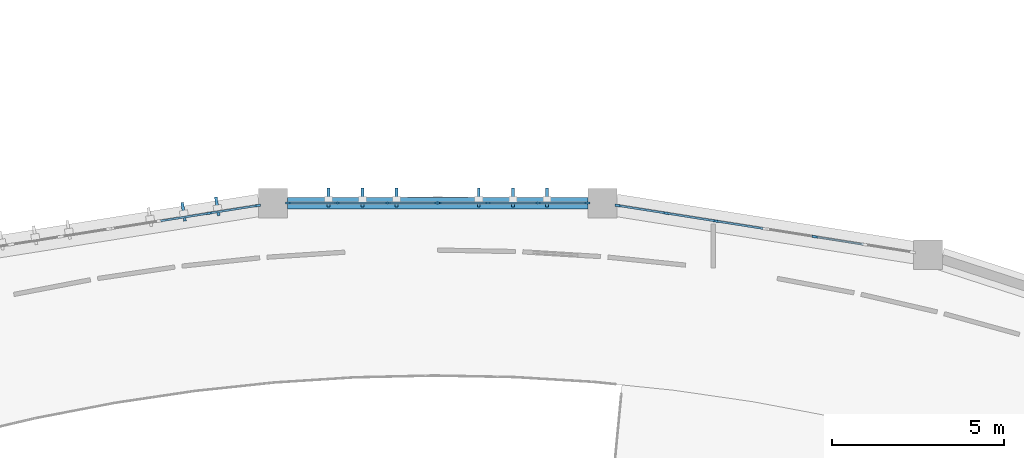
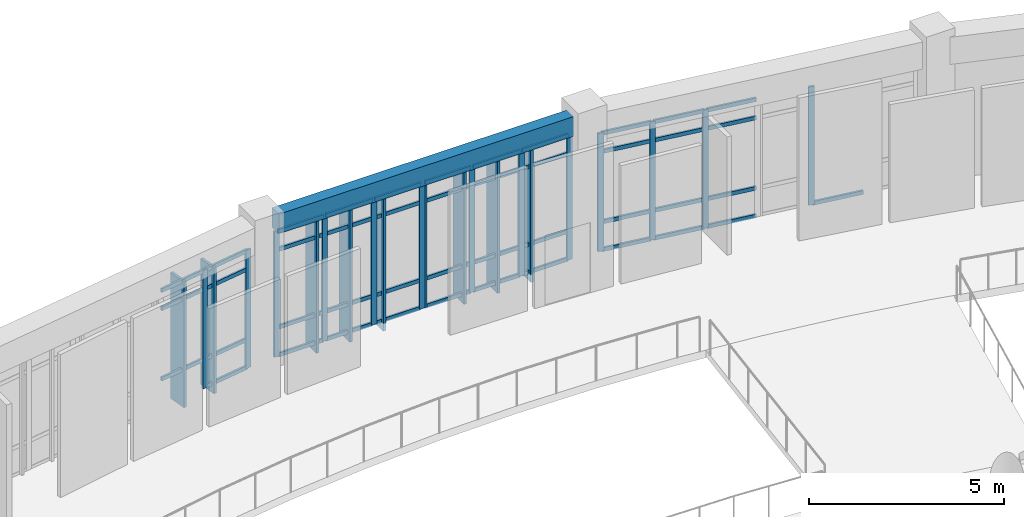
# One storey, part 20 of 68: 66 members, 1 beam, 5 elements without a shape of their own.
"""IFC4 building model written with IfcOpenShell, lengths in metres."""

from ifc_helpers import new_model, si_unit, direction, frame, origin, origin_2d, place, context, subcontext, project, spatial, rectangle, extrude, material, layer, layer_set, material_profile, profile_set, type_object, element, aggregate, save


model = new_model("IFC4")

# Units and contexts
model_context = context("Model", 3, precision=1e-05, world=origin(), true_north=direction((0.0, 1.0)))
body_context = subcontext(model_context, "Body", "Model", "MODEL_VIEW")
ifc_project = project(units=[si_unit("LENGTHUNIT", "METRE"), si_unit("AREAUNIT", "SQUARE_METRE"), si_unit("VOLUMEUNIT", "CUBIC_METRE"), si_unit("PLANEANGLEUNIT", "RADIAN"), si_unit("MASSUNIT", "GRAM", prefix="KILO")], contexts=[model_context])

# Site, building, storey
site_placement = place(None, origin())
site = spatial("IfcSite", under=ifc_project, at=site_placement, CompositionType="ELEMENT")
building_placement = place(site_placement, origin())
building = spatial("IfcBuilding", under=site, at=building_placement, Name="Miralva Faculty of Natural Sciences", CompositionType="ELEMENT")
storey_placement = place(building_placement, frame((0.0, 0.0, 5.39990234375)))
storey = spatial("IfcBuildingStorey", under=building, at=storey_placement, Name="L01", CompositionType="ELEMENT", Elevation=5.39990234375)

# Beam
ifc_material_1 = material(Name="Concrete C40/50", Category="concrete")
ifc_material_profile_1 = material_profile(ifc_material_1, rectangle(XDim=0.340087890625, YDim=0.6201171875, at=origin_2d()), Name="RC 340x620")
ifc_profile_set_1 = profile_set([ifc_material_profile_1], Name="Concrete C40/50")
beam_type = type_object("IfcBeamType", Name="BM-BG03", PredefinedType="BEAM", material=ifc_profile_set_1)
beam_placement = place(storey_placement, frame((85.635009765625, 39.81005859375, 4.25), z_axis=(1.0, 0.0, 0.0), x_axis=(0.0, 1.0, 0.0)))
element("IfcBeam", 1, at=beam_placement, inside=storey, type_object=beam_type, Name="Girder EW L01-45", PredefinedType="BEAM", context=body_context, shape_type="SweptSolid", body=[
    extrude(rectangle(XDim=0.340087890625, YDim=0.6201171875, at=origin_2d()), origin(), (0.0, 0.0, 1.0), 8.72998046875),
])

# Curtain wall, members
ifc_material_2 = material(Name="Laminated solar-control glass", Category="glass")
ifc_layer = layer(ifc_material_2, 0.179931640625, Name="CW-ARC-L01")
ifc_layer_set = layer_set([ifc_layer], Name="Laminated solar-control glass")
curtain_wall_type = type_object("IfcCurtainWallType", Name="CW-ARC-L01", PredefinedType="USERDEFINED", material=ifc_layer_set)
curtain_wall_1_placement = place(storey_placement, origin())
curtain_wall_1 = element("IfcCurtainWall", 2, at=curtain_wall_1_placement, inside=storey, type_object=curtain_wall_type, Name="Curtain wall CW-02 L01-38", ObjectType="UNITISED CURTAIN WALL", PredefinedType="USERDEFINED")
ifc_material_3 = material(Name="Anodised aluminium", Category="aluminium")
ifc_material_profile_2 = material_profile(ifc_material_3, rectangle(XDim=0.06494140625, YDim=0.159912109375, at=origin_2d()), Name="MULLION 65x160")
ifc_profile_set_2 = profile_set([ifc_material_profile_2], Name="Anodised aluminium")
member_type_1 = type_object("IfcMemberType", Name="CW-M02", PredefinedType="MULLION", material=ifc_profile_set_2)
member_1_placement = place(storey_placement, frame((83.36328125, 39.518798828125, 0.0), z_axis=(0.0, 0.0, 1.0), x_axis=(-0.156422562973, 0.987690225624, 0.0)))
member_1 = element("IfcMember", 3, at=member_1_placement, type_object=member_type_1, Name="CW-02 mullion 3", PredefinedType="MULLION", context=body_context, shape_type="SweptSolid", body=[
    extrude(rectangle(XDim=0.06494140625, YDim=0.159912109375, at=origin_2d()), origin(), (0.0, 0.0, 1.0), 3.705078125),
])
member_2_placement = place(storey_placement, frame((84.77197265625, 39.741943359375, 0.0), z_axis=(0.0, 0.0, 1.0), x_axis=(-0.156422562973, 0.987690225624, 0.0)))
member_2 = element("IfcMember", 4, at=member_2_placement, type_object=member_type_1, Name="CW-02 mullion 4", PredefinedType="MULLION", context=body_context, shape_type="SweptSolid", body=[
    extrude(rectangle(XDim=0.06494140625, YDim=0.159912109375, at=origin_2d()), origin(), (0.0, 0.0, 1.0), 3.705078125),
])

curtain_wall_2_placement = place(storey_placement, origin())
curtain_wall_2 = element("IfcCurtainWall", 5, at=curtain_wall_2_placement, inside=storey, type_object=curtain_wall_type, Name="Curtain wall CW-02 L01-39", ObjectType="UNITISED CURTAIN WALL", PredefinedType="USERDEFINED")
member_3_placement = place(storey_placement, frame((85.66162109375, 39.81201171875, 0.0), z_axis=(0.0, 0.0, 1.0), x_axis=(0.0, 1.0, 0.0)))
member_3 = element("IfcMember", 6, at=member_3_placement, type_object=member_type_1, Name="CW-02 mullion 1", PredefinedType="MULLION", context=body_context, shape_type="SweptSolid", body=[
    extrude(rectangle(XDim=0.06494140625, YDim=0.159912109375, at=origin_2d()), origin(), (0.0, 0.0, 1.0), 3.93505859375),
])
member_4_placement = place(storey_placement, frame((87.0859375, 39.81201171875, 0.0), z_axis=(0.0, 0.0, 1.0), x_axis=(0.0, 1.0, 0.0)))
member_4 = element("IfcMember", 7, at=member_4_placement, type_object=member_type_1, Name="CW-02 mullion 2", PredefinedType="MULLION", context=body_context, shape_type="SweptSolid", body=[
    extrude(rectangle(XDim=0.06494140625, YDim=0.159912109375, at=origin_2d()), origin(), (0.0, 0.0, 1.0), 3.93505859375),
])
member_5_placement = place(storey_placement, frame((88.54296875, 39.81201171875, 0.0), z_axis=(0.0, 0.0, 1.0), x_axis=(0.0, 1.0, 0.0)))
member_5 = element("IfcMember", 8, at=member_5_placement, type_object=member_type_1, Name="CW-02 mullion 3", PredefinedType="MULLION", context=body_context, shape_type="SweptSolid", body=[
    extrude(rectangle(XDim=0.06494140625, YDim=0.159912109375, at=origin_2d()), origin(), (0.0, 0.0, 1.0), 3.93505859375),
])
member_6_placement = place(storey_placement, frame((89.967529296875, 39.81201171875, 0.0), z_axis=(0.0, 0.0, 1.0), x_axis=(0.0, 1.0, 0.0)))
member_6 = element("IfcMember", 9, at=member_6_placement, type_object=member_type_1, Name="CW-02 mullion 4", PredefinedType="MULLION", context=body_context, shape_type="SweptSolid", body=[
    extrude(rectangle(XDim=0.06494140625, YDim=0.159912109375, at=origin_2d()), origin(), (0.0, 0.0, 1.0), 3.93505859375),
])

curtain_wall_3_placement = place(storey_placement, origin())
curtain_wall_3 = element("IfcCurtainWall", 10, at=curtain_wall_3_placement, inside=storey, type_object=curtain_wall_type, Name="Curtain wall CW-02 L01-40", ObjectType="UNITISED CURTAIN WALL", PredefinedType="USERDEFINED")
member_7_placement = place(storey_placement, frame((90.027587890625, 39.81201171875, 0.0), z_axis=(0.0, 0.0, 1.0), x_axis=(0.0, 1.0, 0.0)))
member_7 = element("IfcMember", 11, at=member_7_placement, type_object=member_type_1, Name="CW-02 mullion 1", PredefinedType="MULLION", context=body_context, shape_type="SweptSolid", body=[
    extrude(rectangle(XDim=0.06494140625, YDim=0.159912109375, at=origin_2d()), origin(), (0.0, 0.0, 1.0), 3.93505859375),
])
member_8_placement = place(storey_placement, frame((91.45361328125, 39.81201171875, 0.0), z_axis=(0.0, 0.0, 1.0), x_axis=(0.0, 1.0, 0.0)))
member_8 = element("IfcMember", 12, at=member_8_placement, type_object=member_type_1, Name="CW-02 mullion 2", PredefinedType="MULLION", context=body_context, shape_type="SweptSolid", body=[
    extrude(rectangle(XDim=0.06494140625, YDim=0.159912109375, at=origin_2d()), origin(), (0.0, 0.0, 1.0), 3.93505859375),
])
member_9_placement = place(storey_placement, frame((92.912353515625, 39.81201171875, 0.0), z_axis=(0.0, 0.0, 1.0), x_axis=(0.0, 1.0, 0.0)))
member_9 = element("IfcMember", 13, at=member_9_placement, type_object=member_type_1, Name="CW-02 mullion 3", PredefinedType="MULLION", context=body_context, shape_type="SweptSolid", body=[
    extrude(rectangle(XDim=0.06494140625, YDim=0.159912109375, at=origin_2d()), origin(), (0.0, 0.0, 1.0), 3.93505859375),
])
member_10_placement = place(storey_placement, frame((94.33837890625, 39.81201171875, 0.0), z_axis=(0.0, 0.0, 1.0), x_axis=(0.0, 1.0, 0.0)))
member_10 = element("IfcMember", 14, at=member_10_placement, type_object=member_type_1, Name="CW-02 mullion 4", PredefinedType="MULLION", context=body_context, shape_type="SweptSolid", body=[
    extrude(rectangle(XDim=0.06494140625, YDim=0.159912109375, at=origin_2d()), origin(), (0.0, 0.0, 1.0), 3.93505859375),
])

curtain_wall_4_placement = place(storey_placement, origin())
curtain_wall_4 = element("IfcCurtainWall", 15, at=curtain_wall_4_placement, inside=storey, type_object=curtain_wall_type, Name="Curtain wall CW-02 L01-41", ObjectType="UNITISED CURTAIN WALL", PredefinedType="USERDEFINED")
member_11_placement = place(storey_placement, frame((95.22802734375, 39.741943359375, 0.0), z_axis=(0.0, 0.0, 1.0), x_axis=(0.156417211778, 0.987691073089, 0.0)))
member_11 = element("IfcMember", 16, at=member_11_placement, type_object=member_type_1, Name="CW-02 mullion 1", PredefinedType="MULLION", context=body_context, shape_type="SweptSolid", body=[
    extrude(rectangle(XDim=0.06494140625, YDim=0.159912109375, at=origin_2d()), origin(), (0.0, 0.0, 1.0), 3.705078125),
])
member_12_placement = place(storey_placement, frame((96.635009765625, 39.51904296875, 0.0), z_axis=(0.0, 0.0, 1.0), x_axis=(0.156417211778, 0.987691073089, 0.0)))
member_12 = element("IfcMember", 17, at=member_12_placement, type_object=member_type_1, Name="CW-02 mullion 2", PredefinedType="MULLION", context=body_context, shape_type="SweptSolid", body=[
    extrude(rectangle(XDim=0.06494140625, YDim=0.159912109375, at=origin_2d()), origin(), (0.0, 0.0, 1.0), 3.705078125),
])
member_13_placement = place(storey_placement, frame((98.073974609375, 39.291259765625, 0.0), z_axis=(0.0, 0.0, 1.0), x_axis=(0.156417211778, 0.987691073089, 0.0)))
member_13 = element("IfcMember", 18, at=member_13_placement, type_object=member_type_1, Name="CW-02 mullion 3", PredefinedType="MULLION", context=body_context, shape_type="SweptSolid", body=[
    extrude(rectangle(XDim=0.06494140625, YDim=0.159912109375, at=origin_2d()), origin(), (0.0, 0.0, 1.0), 3.705078125),
])

# Curtain wall, member
curtain_wall_5_placement = place(storey_placement, origin())
curtain_wall_5 = element("IfcCurtainWall", 19, at=curtain_wall_5_placement, inside=storey, type_object=curtain_wall_type, Name="Curtain wall CW-02 L01-42", ObjectType="UNITISED CURTAIN WALL", PredefinedType="USERDEFINED")
member_14_placement = place(storey_placement, frame((100.948974609375, 38.8359375, 0.0), z_axis=(0.0, 0.0, 1.0), x_axis=(0.156444855796, 0.987686694805, 0.0)))
member_14 = element("IfcMember", 20, at=member_14_placement, type_object=member_type_1, Name="CW-02 mullion 2", PredefinedType="MULLION", context=body_context, shape_type="SweptSolid", body=[
    extrude(rectangle(XDim=0.06494140625, YDim=0.159912109375, at=origin_2d()), origin(), (0.0, 0.0, 1.0), 3.705078125),
])

# Member
ifc_material_profile_3 = material_profile(ifc_material_3, rectangle(XDim=0.06005859375, YDim=0.1201171875, at=origin_2d()), Name="TRANSOM 60x120")
ifc_profile_set_3 = profile_set([ifc_material_profile_3], Name="Anodised aluminium")
member_type_2 = type_object("IfcMemberType", Name="CW-T02", PredefinedType="USERDEFINED", material=ifc_profile_set_3)
member_15_placement = place(storey_placement, frame((81.954833984375, 39.295654296875, 0.900146484375), z_axis=(0.987687568473, 0.156439339951, 0.0), x_axis=(-0.156439339951, 0.987687568473, 0.0)))
member_15 = element("IfcMember", 21, at=member_15_placement, type_object=member_type_2, Name="CW-02 transom 2.2", ObjectType="TRANSOM", PredefinedType="USERDEFINED", context=body_context, shape_type="SweptSolid", body=[
    extrude(rectangle(XDim=0.06005859375, YDim=0.1201171875, at=origin_2d()), origin(), (0.0, 0.0, 1.0), 1.3935546875),
])

member_16_placement = place(storey_placement, frame((81.954833984375, 39.295654296875, 3.10498046875), z_axis=(0.987687568473, 0.156439339951, 0.0), x_axis=(-0.156439339951, 0.987687568473, 0.0)))
member_16 = element("IfcMember", 22, at=member_16_placement, type_object=member_type_2, Name="CW-02 transom 2.3", ObjectType="TRANSOM", PredefinedType="USERDEFINED", context=body_context, shape_type="SweptSolid", body=[
    extrude(rectangle(XDim=0.06005859375, YDim=0.1201171875, at=origin_2d()), origin(), (0.0, 0.0, 1.0), 1.3935546875),
])

member_17_placement = place(storey_placement, frame((81.954833984375, 39.295654296875, 3.675048828125), z_axis=(0.987687568473, 0.156439339951, 0.0), x_axis=(-0.156439339951, 0.987687568473, 0.0)))
member_17 = element("IfcMember", 23, at=member_17_placement, type_object=member_type_2, Name="CW-02 transom 2.4", ObjectType="TRANSOM", PredefinedType="USERDEFINED", context=body_context, shape_type="SweptSolid", body=[
    extrude(rectangle(XDim=0.06005859375, YDim=0.1201171875, at=origin_2d()), origin(), (0.0, 0.0, 1.0), 1.3935546875),
])

member_18_placement = place(storey_placement, frame((83.3955078125, 39.52392578125, 0.030029296875), z_axis=(0.987694522615, 0.156395428313, 0.0), x_axis=(-0.156395428313, 0.987694522615, 0.0)))
member_18 = element("IfcMember", 24, at=member_18_placement, type_object=member_type_2, Name="CW-02 transom 3.1", ObjectType="TRANSOM", PredefinedType="USERDEFINED", context=body_context, shape_type="SweptSolid", body=[
    extrude(rectangle(XDim=0.06005859375, YDim=0.1201171875, at=origin_2d()), origin(), (0.0, 0.0, 1.0), 1.361328125),
])

member_19_placement = place(storey_placement, frame((83.3955078125, 39.52392578125, 0.900146484375), z_axis=(0.987694522615, 0.156395428313, 0.0), x_axis=(-0.156395428313, 0.987694522615, 0.0)))
member_19 = element("IfcMember", 25, at=member_19_placement, type_object=member_type_2, Name="CW-02 transom 3.2", ObjectType="TRANSOM", PredefinedType="USERDEFINED", context=body_context, shape_type="SweptSolid", body=[
    extrude(rectangle(XDim=0.06005859375, YDim=0.1201171875, at=origin_2d()), origin(), (0.0, 0.0, 1.0), 1.361328125),
])

member_20_placement = place(storey_placement, frame((83.3955078125, 39.52392578125, 3.10498046875), z_axis=(0.987694522615, 0.156395428313, 0.0), x_axis=(-0.156395428313, 0.987694522615, 0.0)))
member_20 = element("IfcMember", 26, at=member_20_placement, type_object=member_type_2, Name="CW-02 transom 3.3", ObjectType="TRANSOM", PredefinedType="USERDEFINED", context=body_context, shape_type="SweptSolid", body=[
    extrude(rectangle(XDim=0.06005859375, YDim=0.1201171875, at=origin_2d()), origin(), (0.0, 0.0, 1.0), 1.361328125),
])

member_21_placement = place(storey_placement, frame((83.3955078125, 39.52392578125, 3.675048828125), z_axis=(0.987694522615, 0.156395428313, 0.0), x_axis=(-0.156395428313, 0.987694522615, 0.0)))
member_21 = element("IfcMember", 27, at=member_21_placement, type_object=member_type_2, Name="CW-02 transom 3.4", ObjectType="TRANSOM", PredefinedType="USERDEFINED", context=body_context, shape_type="SweptSolid", body=[
    extrude(rectangle(XDim=0.06005859375, YDim=0.1201171875, at=origin_2d()), origin(), (0.0, 0.0, 1.0), 1.361328125),
])

aggregate(curtain_wall_1, [member_1, member_2, member_15, member_16, member_17, member_18, member_19, member_20, member_21])

member_22_placement = place(storey_placement, frame((85.694091796875, 39.81201171875, 0.030029296875), z_axis=(1.0, 0.0, 0.0), x_axis=(0.0, 1.0, 0.0)))
member_22 = element("IfcMember", 28, at=member_22_placement, type_object=member_type_2, Name="CW-02 transom 1.1", ObjectType="TRANSOM", PredefinedType="USERDEFINED", context=body_context, shape_type="SweptSolid", body=[
    extrude(rectangle(XDim=0.06005859375, YDim=0.1201171875, at=origin_2d()), origin(), (0.0, 0.0, 1.0), 1.359375),
])

member_23_placement = place(storey_placement, frame((85.694091796875, 39.81201171875, 0.900146484375), z_axis=(1.0, 0.0, 0.0), x_axis=(0.0, 1.0, 0.0)))
member_23 = element("IfcMember", 29, at=member_23_placement, type_object=member_type_2, Name="CW-02 transom 1.2", ObjectType="TRANSOM", PredefinedType="USERDEFINED", context=body_context, shape_type="SweptSolid", body=[
    extrude(rectangle(XDim=0.06005859375, YDim=0.1201171875, at=origin_2d()), origin(), (0.0, 0.0, 1.0), 1.359375),
])

member_24_placement = place(storey_placement, frame((85.694091796875, 39.81201171875, 3.335205078125), z_axis=(1.0, 0.0, 0.0), x_axis=(0.0, 1.0, 0.0)))
member_24 = element("IfcMember", 30, at=member_24_placement, type_object=member_type_2, Name="CW-02 transom 1.3", ObjectType="TRANSOM", PredefinedType="USERDEFINED", context=body_context, shape_type="SweptSolid", body=[
    extrude(rectangle(XDim=0.06005859375, YDim=0.1201171875, at=origin_2d()), origin(), (0.0, 0.0, 1.0), 1.359375),
])

member_25_placement = place(storey_placement, frame((85.694091796875, 39.81201171875, 3.905029296875), z_axis=(1.0, 0.0, 0.0), x_axis=(0.0, 1.0, 0.0)))
member_25 = element("IfcMember", 31, at=member_25_placement, type_object=member_type_2, Name="CW-02 transom 1.4", ObjectType="TRANSOM", PredefinedType="USERDEFINED", context=body_context, shape_type="SweptSolid", body=[
    extrude(rectangle(XDim=0.06005859375, YDim=0.1201171875, at=origin_2d()), origin(), (0.0, 0.0, 1.0), 1.359375),
])

member_26_placement = place(storey_placement, frame((87.118408203125, 39.81201171875, 0.030029296875), z_axis=(1.0, 0.0, 0.0), x_axis=(0.0, 1.0, 0.0)))
member_26 = element("IfcMember", 32, at=member_26_placement, type_object=member_type_2, Name="CW-02 transom 2.1", ObjectType="TRANSOM", PredefinedType="USERDEFINED", context=body_context, shape_type="SweptSolid", body=[
    extrude(rectangle(XDim=0.06005859375, YDim=0.1201171875, at=origin_2d()), origin(), (0.0, 0.0, 1.0), 1.39208984375),
])

member_27_placement = place(storey_placement, frame((87.118408203125, 39.81201171875, 0.900146484375), z_axis=(1.0, 0.0, 0.0), x_axis=(0.0, 1.0, 0.0)))
member_27 = element("IfcMember", 33, at=member_27_placement, type_object=member_type_2, Name="CW-02 transom 2.2", ObjectType="TRANSOM", PredefinedType="USERDEFINED", context=body_context, shape_type="SweptSolid", body=[
    extrude(rectangle(XDim=0.06005859375, YDim=0.1201171875, at=origin_2d()), origin(), (0.0, 0.0, 1.0), 1.39208984375),
])

member_28_placement = place(storey_placement, frame((87.118408203125, 39.81201171875, 3.335205078125), z_axis=(1.0, 0.0, 0.0), x_axis=(0.0, 1.0, 0.0)))
member_28 = element("IfcMember", 34, at=member_28_placement, type_object=member_type_2, Name="CW-02 transom 2.3", ObjectType="TRANSOM", PredefinedType="USERDEFINED", context=body_context, shape_type="SweptSolid", body=[
    extrude(rectangle(XDim=0.06005859375, YDim=0.1201171875, at=origin_2d()), origin(), (0.0, 0.0, 1.0), 1.39208984375),
])

member_29_placement = place(storey_placement, frame((87.118408203125, 39.81201171875, 3.905029296875), z_axis=(1.0, 0.0, 0.0), x_axis=(0.0, 1.0, 0.0)))
member_29 = element("IfcMember", 35, at=member_29_placement, type_object=member_type_2, Name="CW-02 transom 2.4", ObjectType="TRANSOM", PredefinedType="USERDEFINED", context=body_context, shape_type="SweptSolid", body=[
    extrude(rectangle(XDim=0.06005859375, YDim=0.1201171875, at=origin_2d()), origin(), (0.0, 0.0, 1.0), 1.39208984375),
])

member_30_placement = place(storey_placement, frame((88.575439453125, 39.81201171875, 0.030029296875), z_axis=(1.0, 0.0, 0.0), x_axis=(0.0, 1.0, 0.0)))
member_30 = element("IfcMember", 36, at=member_30_placement, type_object=member_type_2, Name="CW-02 transom 3.1", ObjectType="TRANSOM", PredefinedType="USERDEFINED", context=body_context, shape_type="SweptSolid", body=[
    extrude(rectangle(XDim=0.06005859375, YDim=0.1201171875, at=origin_2d()), origin(), (0.0, 0.0, 1.0), 1.359619140625),
])

member_31_placement = place(storey_placement, frame((88.575439453125, 39.81201171875, 0.900146484375), z_axis=(1.0, 0.0, 0.0), x_axis=(0.0, 1.0, 0.0)))
member_31 = element("IfcMember", 37, at=member_31_placement, type_object=member_type_2, Name="CW-02 transom 3.2", ObjectType="TRANSOM", PredefinedType="USERDEFINED", context=body_context, shape_type="SweptSolid", body=[
    extrude(rectangle(XDim=0.06005859375, YDim=0.1201171875, at=origin_2d()), origin(), (0.0, 0.0, 1.0), 1.359619140625),
])

member_32_placement = place(storey_placement, frame((88.575439453125, 39.81201171875, 3.335205078125), z_axis=(1.0, 0.0, 0.0), x_axis=(0.0, 1.0, 0.0)))
member_32 = element("IfcMember", 38, at=member_32_placement, type_object=member_type_2, Name="CW-02 transom 3.3", ObjectType="TRANSOM", PredefinedType="USERDEFINED", context=body_context, shape_type="SweptSolid", body=[
    extrude(rectangle(XDim=0.06005859375, YDim=0.1201171875, at=origin_2d()), origin(), (0.0, 0.0, 1.0), 1.359619140625),
])

member_33_placement = place(storey_placement, frame((88.575439453125, 39.81201171875, 3.905029296875), z_axis=(1.0, 0.0, 0.0), x_axis=(0.0, 1.0, 0.0)))
member_33 = element("IfcMember", 39, at=member_33_placement, type_object=member_type_2, Name="CW-02 transom 3.4", ObjectType="TRANSOM", PredefinedType="USERDEFINED", context=body_context, shape_type="SweptSolid", body=[
    extrude(rectangle(XDim=0.06005859375, YDim=0.1201171875, at=origin_2d()), origin(), (0.0, 0.0, 1.0), 1.359619140625),
])

aggregate(curtain_wall_2, [member_3, member_4, member_5, member_6, member_22, member_23, member_24, member_25, member_26, member_27, member_28, member_29, member_30, member_31, member_32, member_33])

member_34_placement = place(storey_placement, frame((90.06005859375, 39.81201171875, 0.030029296875), z_axis=(1.0, 0.0, 0.0), x_axis=(0.0, 1.0, 0.0)))
member_34 = element("IfcMember", 40, at=member_34_placement, type_object=member_type_2, Name="CW-02 transom 1.1", ObjectType="TRANSOM", PredefinedType="USERDEFINED", context=body_context, shape_type="SweptSolid", body=[
    extrude(rectangle(XDim=0.06005859375, YDim=0.1201171875, at=origin_2d()), origin(), (0.0, 0.0, 1.0), 1.361083984375),
])

member_35_placement = place(storey_placement, frame((90.06005859375, 39.81201171875, 0.900146484375), z_axis=(1.0, 0.0, 0.0), x_axis=(0.0, 1.0, 0.0)))
member_35 = element("IfcMember", 41, at=member_35_placement, type_object=member_type_2, Name="CW-02 transom 1.2", ObjectType="TRANSOM", PredefinedType="USERDEFINED", context=body_context, shape_type="SweptSolid", body=[
    extrude(rectangle(XDim=0.06005859375, YDim=0.1201171875, at=origin_2d()), origin(), (0.0, 0.0, 1.0), 1.361083984375),
])

member_36_placement = place(storey_placement, frame((90.06005859375, 39.81201171875, 3.335205078125), z_axis=(1.0, 0.0, 0.0), x_axis=(0.0, 1.0, 0.0)))
member_36 = element("IfcMember", 42, at=member_36_placement, type_object=member_type_2, Name="CW-02 transom 1.3", ObjectType="TRANSOM", PredefinedType="USERDEFINED", context=body_context, shape_type="SweptSolid", body=[
    extrude(rectangle(XDim=0.06005859375, YDim=0.1201171875, at=origin_2d()), origin(), (0.0, 0.0, 1.0), 1.361083984375),
])

member_37_placement = place(storey_placement, frame((90.06005859375, 39.81201171875, 3.905029296875), z_axis=(1.0, 0.0, 0.0), x_axis=(0.0, 1.0, 0.0)))
member_37 = element("IfcMember", 43, at=member_37_placement, type_object=member_type_2, Name="CW-02 transom 1.4", ObjectType="TRANSOM", PredefinedType="USERDEFINED", context=body_context, shape_type="SweptSolid", body=[
    extrude(rectangle(XDim=0.06005859375, YDim=0.1201171875, at=origin_2d()), origin(), (0.0, 0.0, 1.0), 1.361083984375),
])

member_38_placement = place(storey_placement, frame((91.486083984375, 39.81201171875, 0.030029296875), z_axis=(1.0, 0.0, 0.0), x_axis=(0.0, 1.0, 0.0)))
member_38 = element("IfcMember", 44, at=member_38_placement, type_object=member_type_2, Name="CW-02 transom 2.1", ObjectType="TRANSOM", PredefinedType="USERDEFINED", context=body_context, shape_type="SweptSolid", body=[
    extrude(rectangle(XDim=0.06005859375, YDim=0.1201171875, at=origin_2d()), origin(), (0.0, 0.0, 1.0), 1.393798828125),
])

member_39_placement = place(storey_placement, frame((91.486083984375, 39.81201171875, 0.900146484375), z_axis=(1.0, 0.0, 0.0), x_axis=(0.0, 1.0, 0.0)))
member_39 = element("IfcMember", 45, at=member_39_placement, type_object=member_type_2, Name="CW-02 transom 2.2", ObjectType="TRANSOM", PredefinedType="USERDEFINED", context=body_context, shape_type="SweptSolid", body=[
    extrude(rectangle(XDim=0.06005859375, YDim=0.1201171875, at=origin_2d()), origin(), (0.0, 0.0, 1.0), 1.393798828125),
])

member_40_placement = place(storey_placement, frame((91.486083984375, 39.81201171875, 3.335205078125), z_axis=(1.0, 0.0, 0.0), x_axis=(0.0, 1.0, 0.0)))
member_40 = element("IfcMember", 46, at=member_40_placement, type_object=member_type_2, Name="CW-02 transom 2.3", ObjectType="TRANSOM", PredefinedType="USERDEFINED", context=body_context, shape_type="SweptSolid", body=[
    extrude(rectangle(XDim=0.06005859375, YDim=0.1201171875, at=origin_2d()), origin(), (0.0, 0.0, 1.0), 1.393798828125),
])

member_41_placement = place(storey_placement, frame((91.486083984375, 39.81201171875, 3.905029296875), z_axis=(1.0, 0.0, 0.0), x_axis=(0.0, 1.0, 0.0)))
member_41 = element("IfcMember", 47, at=member_41_placement, type_object=member_type_2, Name="CW-02 transom 2.4", ObjectType="TRANSOM", PredefinedType="USERDEFINED", context=body_context, shape_type="SweptSolid", body=[
    extrude(rectangle(XDim=0.06005859375, YDim=0.1201171875, at=origin_2d()), origin(), (0.0, 0.0, 1.0), 1.393798828125),
])

member_42_placement = place(storey_placement, frame((92.94482421875, 39.81201171875, 0.030029296875), z_axis=(1.0, 0.0, 0.0), x_axis=(0.0, 1.0, 0.0)))
member_42 = element("IfcMember", 48, at=member_42_placement, type_object=member_type_2, Name="CW-02 transom 3.1", ObjectType="TRANSOM", PredefinedType="USERDEFINED", context=body_context, shape_type="SweptSolid", body=[
    extrude(rectangle(XDim=0.06005859375, YDim=0.1201171875, at=origin_2d()), origin(), (0.0, 0.0, 1.0), 1.361083984375),
])

member_43_placement = place(storey_placement, frame((92.94482421875, 39.81201171875, 0.900146484375), z_axis=(1.0, 0.0, 0.0), x_axis=(0.0, 1.0, 0.0)))
member_43 = element("IfcMember", 49, at=member_43_placement, type_object=member_type_2, Name="CW-02 transom 3.2", ObjectType="TRANSOM", PredefinedType="USERDEFINED", context=body_context, shape_type="SweptSolid", body=[
    extrude(rectangle(XDim=0.06005859375, YDim=0.1201171875, at=origin_2d()), origin(), (0.0, 0.0, 1.0), 1.361083984375),
])

member_44_placement = place(storey_placement, frame((92.94482421875, 39.81201171875, 3.335205078125), z_axis=(1.0, 0.0, 0.0), x_axis=(0.0, 1.0, 0.0)))
member_44 = element("IfcMember", 50, at=member_44_placement, type_object=member_type_2, Name="CW-02 transom 3.3", ObjectType="TRANSOM", PredefinedType="USERDEFINED", context=body_context, shape_type="SweptSolid", body=[
    extrude(rectangle(XDim=0.06005859375, YDim=0.1201171875, at=origin_2d()), origin(), (0.0, 0.0, 1.0), 1.361083984375),
])

member_45_placement = place(storey_placement, frame((92.94482421875, 39.81201171875, 3.905029296875), z_axis=(1.0, 0.0, 0.0), x_axis=(0.0, 1.0, 0.0)))
member_45 = element("IfcMember", 51, at=member_45_placement, type_object=member_type_2, Name="CW-02 transom 3.4", ObjectType="TRANSOM", PredefinedType="USERDEFINED", context=body_context, shape_type="SweptSolid", body=[
    extrude(rectangle(XDim=0.06005859375, YDim=0.1201171875, at=origin_2d()), origin(), (0.0, 0.0, 1.0), 1.361083984375),
])

aggregate(curtain_wall_3, [member_7, member_8, member_9, member_10, member_34, member_35, member_36, member_37, member_38, member_39, member_40, member_41, member_42, member_43, member_44, member_45])

member_46_placement = place(storey_placement, frame((95.260009765625, 39.73681640625, 0.030029296875), z_axis=(0.987691515216, -0.156414419955, 0.0), x_axis=(0.156414419955, 0.987691515216, 0.0)))
member_46 = element("IfcMember", 52, at=member_46_placement, type_object=member_type_2, Name="CW-02 transom 1.1", ObjectType="TRANSOM", PredefinedType="USERDEFINED", context=body_context, shape_type="SweptSolid", body=[
    extrude(rectangle(XDim=0.06005859375, YDim=0.1201171875, at=origin_2d()), origin(), (0.0, 0.0, 1.0), 1.359619140625),
])

member_47_placement = place(storey_placement, frame((95.260009765625, 39.73681640625, 0.900146484375), z_axis=(0.987691515216, -0.156414419955, 0.0), x_axis=(0.156414419955, 0.987691515216, 0.0)))
member_47 = element("IfcMember", 53, at=member_47_placement, type_object=member_type_2, Name="CW-02 transom 1.2", ObjectType="TRANSOM", PredefinedType="USERDEFINED", context=body_context, shape_type="SweptSolid", body=[
    extrude(rectangle(XDim=0.06005859375, YDim=0.1201171875, at=origin_2d()), origin(), (0.0, 0.0, 1.0), 1.359619140625),
])

member_48_placement = place(storey_placement, frame((95.260009765625, 39.73681640625, 3.10498046875), z_axis=(0.987691515216, -0.156414419955, 0.0), x_axis=(0.156414419955, 0.987691515216, 0.0)))
member_48 = element("IfcMember", 54, at=member_48_placement, type_object=member_type_2, Name="CW-02 transom 1.3", ObjectType="TRANSOM", PredefinedType="USERDEFINED", context=body_context, shape_type="SweptSolid", body=[
    extrude(rectangle(XDim=0.06005859375, YDim=0.1201171875, at=origin_2d()), origin(), (0.0, 0.0, 1.0), 1.359619140625),
])

member_49_placement = place(storey_placement, frame((95.260009765625, 39.73681640625, 3.675048828125), z_axis=(0.987691515216, -0.156414419955, 0.0), x_axis=(0.156414419955, 0.987691515216, 0.0)))
member_49 = element("IfcMember", 55, at=member_49_placement, type_object=member_type_2, Name="CW-02 transom 1.4", ObjectType="TRANSOM", PredefinedType="USERDEFINED", context=body_context, shape_type="SweptSolid", body=[
    extrude(rectangle(XDim=0.06005859375, YDim=0.1201171875, at=origin_2d()), origin(), (0.0, 0.0, 1.0), 1.359619140625),
])

member_50_placement = place(storey_placement, frame((96.6669921875, 39.513916015625, 0.030029296875), z_axis=(0.987715995769, -0.156259757143, 0.0), x_axis=(0.156259757143, 0.987715995769, 0.0)))
member_50 = element("IfcMember", 56, at=member_50_placement, type_object=member_type_2, Name="CW-02 transom 2.1", ObjectType="TRANSOM", PredefinedType="USERDEFINED", context=body_context, shape_type="SweptSolid", body=[
    extrude(rectangle(XDim=0.06005859375, YDim=0.1201171875, at=origin_2d()), origin(), (0.0, 0.0, 1.0), 1.39208984375),
])

member_51_placement = place(storey_placement, frame((96.6669921875, 39.513916015625, 0.900146484375), z_axis=(0.987715995769, -0.156259757143, 0.0), x_axis=(0.156259757143, 0.987715995769, 0.0)))
member_51 = element("IfcMember", 57, at=member_51_placement, type_object=member_type_2, Name="CW-02 transom 2.2", ObjectType="TRANSOM", PredefinedType="USERDEFINED", context=body_context, shape_type="SweptSolid", body=[
    extrude(rectangle(XDim=0.06005859375, YDim=0.1201171875, at=origin_2d()), origin(), (0.0, 0.0, 1.0), 1.39208984375),
])

member_52_placement = place(storey_placement, frame((96.6669921875, 39.513916015625, 3.10498046875), z_axis=(0.987715995769, -0.156259757143, 0.0), x_axis=(0.156259757143, 0.987715995769, 0.0)))
member_52 = element("IfcMember", 58, at=member_52_placement, type_object=member_type_2, Name="CW-02 transom 2.3", ObjectType="TRANSOM", PredefinedType="USERDEFINED", context=body_context, shape_type="SweptSolid", body=[
    extrude(rectangle(XDim=0.06005859375, YDim=0.1201171875, at=origin_2d()), origin(), (0.0, 0.0, 1.0), 1.39208984375),
])

member_53_placement = place(storey_placement, frame((96.6669921875, 39.513916015625, 3.675048828125), z_axis=(0.987715995769, -0.156259757143, 0.0), x_axis=(0.156259757143, 0.987715995769, 0.0)))
member_53 = element("IfcMember", 59, at=member_53_placement, type_object=member_type_2, Name="CW-02 transom 2.4", ObjectType="TRANSOM", PredefinedType="USERDEFINED", context=body_context, shape_type="SweptSolid", body=[
    extrude(rectangle(XDim=0.06005859375, YDim=0.1201171875, at=origin_2d()), origin(), (0.0, 0.0, 1.0), 1.39208984375),
])

member_54_placement = place(storey_placement, frame((98.106201171875, 39.2861328125, 0.030029296875), z_axis=(0.987691515216, -0.156414419955, 0.0), x_axis=(0.156414419955, 0.987691515216, 0.0)))
member_54 = element("IfcMember", 60, at=member_54_placement, type_object=member_type_2, Name="CW-02 transom 3.1", ObjectType="TRANSOM", PredefinedType="USERDEFINED", context=body_context, shape_type="SweptSolid", body=[
    extrude(rectangle(XDim=0.06005859375, YDim=0.1201171875, at=origin_2d()), origin(), (0.0, 0.0, 1.0), 1.359619140625),
])

member_55_placement = place(storey_placement, frame((98.106201171875, 39.2861328125, 0.900146484375), z_axis=(0.987691515216, -0.156414419955, 0.0), x_axis=(0.156414419955, 0.987691515216, 0.0)))
member_55 = element("IfcMember", 61, at=member_55_placement, type_object=member_type_2, Name="CW-02 transom 3.2", ObjectType="TRANSOM", PredefinedType="USERDEFINED", context=body_context, shape_type="SweptSolid", body=[
    extrude(rectangle(XDim=0.06005859375, YDim=0.1201171875, at=origin_2d()), origin(), (0.0, 0.0, 1.0), 1.359619140625),
])

member_56_placement = place(storey_placement, frame((98.106201171875, 39.2861328125, 3.10498046875), z_axis=(0.987691515216, -0.156414419955, 0.0), x_axis=(0.156414419955, 0.987691515216, 0.0)))
member_56 = element("IfcMember", 62, at=member_56_placement, type_object=member_type_2, Name="CW-02 transom 3.3", ObjectType="TRANSOM", PredefinedType="USERDEFINED", context=body_context, shape_type="SweptSolid", body=[
    extrude(rectangle(XDim=0.06005859375, YDim=0.1201171875, at=origin_2d()), origin(), (0.0, 0.0, 1.0), 1.359619140625),
])

member_57_placement = place(storey_placement, frame((98.106201171875, 39.2861328125, 3.675048828125), z_axis=(0.987691515216, -0.156414419955, 0.0), x_axis=(0.156414419955, 0.987691515216, 0.0)))
member_57 = element("IfcMember", 63, at=member_57_placement, type_object=member_type_2, Name="CW-02 transom 3.4", ObjectType="TRANSOM", PredefinedType="USERDEFINED", context=body_context, shape_type="SweptSolid", body=[
    extrude(rectangle(XDim=0.06005859375, YDim=0.1201171875, at=origin_2d()), origin(), (0.0, 0.0, 1.0), 1.359619140625),
])

aggregate(curtain_wall_4, [member_11, member_12, member_13, member_46, member_47, member_48, member_49, member_50, member_51, member_52, member_53, member_54, member_55, member_56, member_57])

member_58_placement = place(storey_placement, frame((100.98095703125, 38.830810546875, 0.030029296875), z_axis=(0.987687568473, -0.156439339951, 0.0), x_axis=(0.156439339951, 0.987687568473, 0.0)))
member_58 = element("IfcMember", 64, at=member_58_placement, type_object=member_type_2, Name="CW-02 transom 2.1", ObjectType="TRANSOM", PredefinedType="USERDEFINED", context=body_context, shape_type="SweptSolid", body=[
    extrude(rectangle(XDim=0.06005859375, YDim=0.1201171875, at=origin_2d()), origin(), (0.0, 0.0, 1.0), 1.3935546875),
])

aggregate(curtain_wall_5, [member_14, member_58])

# Members
ifc_material_profile_4 = material_profile(ifc_material_3, rectangle(XDim=0.080078125, YDim=0.550048828125, at=origin_2d()), Name="FIN 550x80")
ifc_profile_set_4 = profile_set([ifc_material_profile_4], Name="Anodised aluminium")
member_type_3 = type_object("IfcMemberType", Name="MEM-SF01", PredefinedType="USERDEFINED", material=ifc_profile_set_4)
for number, where, z_axis, x_axis, name in (
    (65, (82.617919921875, 39.562744140625, -0.239990234375), (0.0, 0.0, 1.0), (-0.987688340595, -0.15643446504, 0.0), "Solar shading fin SF-01 L01-17"),
    (66, (83.597900390625, 39.718017578125, -0.239990234375), (0.0, 0.0, 1.0), (-0.987688340595, -0.15643446504, 0.0), "Solar shading fin SF-01 L01-18"),
):
    element("IfcMember", number, at=place(storey_placement, frame(where, z_axis=z_axis, x_axis=x_axis)), inside=storey, type_object=member_type_3, Name=name, ObjectType="SUNSHADE", PredefinedType="USERDEFINED", context=body_context, shape_type="SweptSolid", body=[
        extrude(rectangle(XDim=0.080078125, YDim=0.550048828125, at=origin_2d()), origin(), (0.0, 0.0, 1.0), 3.945068359375),
    ])
for number, where, z_axis, x_axis, name in (
    (67, (86.82421875, 39.971923828125, -0.239990234375), (0.0, 0.0, 1.0), (-1.0, 0.0, 0.0), "Solar shading fin SF-01 L01-19"),
    (68, (87.814453125, 39.971923828125, -0.239990234375), (0.0, 0.0, 1.0), (-1.0, 0.0, 0.0), "Solar shading fin SF-01 L01-20"),
    (69, (88.8046875, 39.971923828125, -0.239990234375), (0.0, 0.0, 1.0), (-1.0, 0.0, 0.0), "Solar shading fin SF-01 L01-21"),
    (70, (91.19091796875, 39.971923828125, -0.239990234375), (0.0, 0.0, 1.0), (-1.0, 0.0, 0.0), "Solar shading fin SF-01 L01-22"),
    (71, (92.18310546875, 39.971923828125, -0.239990234375), (0.0, 0.0, 1.0), (-1.0, 0.0, 0.0), "Solar shading fin SF-01 L01-23"),
    (72, (93.175048828125, 39.971923828125, -0.239990234375), (0.0, 0.0, 1.0), (-1.0, 0.0, 0.0), "Solar shading fin SF-01 L01-24"),
):
    element("IfcMember", number, at=place(storey_placement, frame(where, z_axis=z_axis, x_axis=x_axis)), inside=storey, type_object=member_type_3, Name=name, ObjectType="SUNSHADE", PredefinedType="USERDEFINED", context=body_context, shape_type="SweptSolid", body=[
        extrude(rectangle(XDim=0.080078125, YDim=0.550048828125, at=origin_2d()), origin(), (0.0, 0.0, 1.0), 4.175048828125),
    ])

save(model, "model.ifc")
